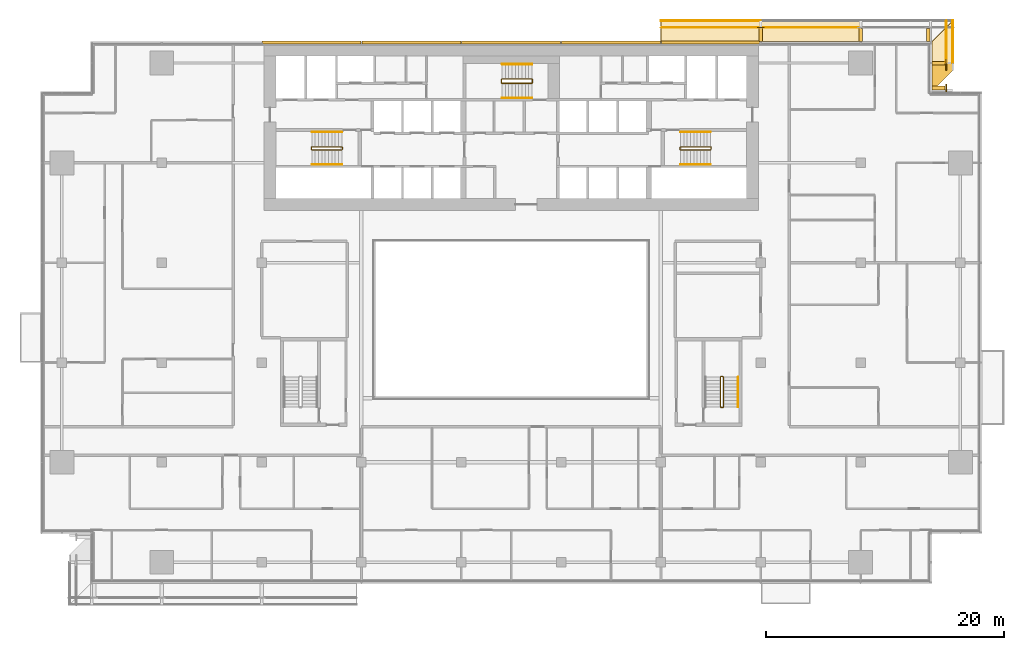
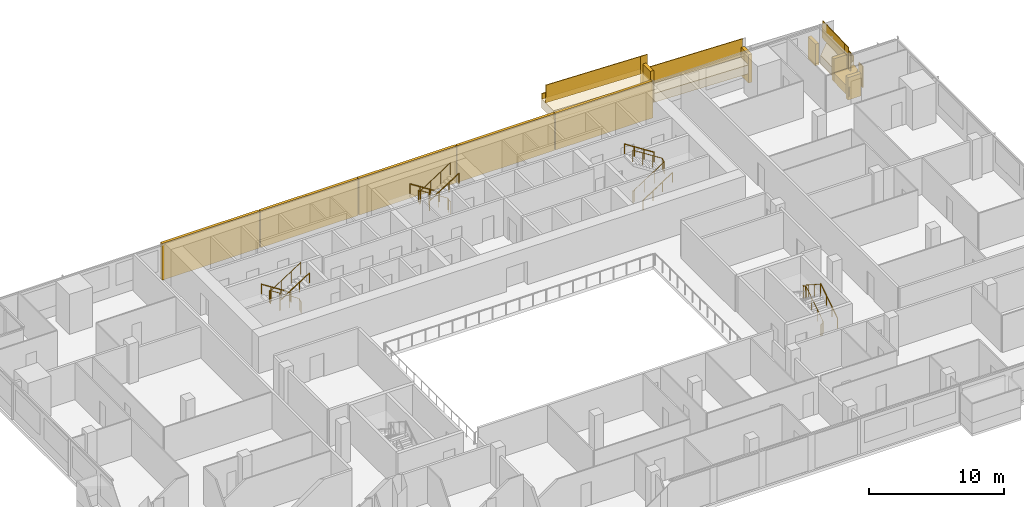
# One storey, part 26 of 29: 18 railings, 16 coverings.
"""IFC4 building model written with IfcOpenShell, lengths in metres."""

from ifc_helpers import new_model, si_unit, direction, frame, origin, origin_2d, place, context, subcontext, project, spatial, polyline, rectangle, circle, outline, extrude, material, layer, layer_set, type_object, element, save


model = new_model("IFC4")

# Units and contexts
model_context = context("Model", 3, precision=1e-05, world=origin(), true_north=direction((0.0, 1.0)))
body_context = subcontext(model_context, "Body", "Model", "MODEL_VIEW")
ifc_project = project(units=[si_unit("LENGTHUNIT", "METRE"), si_unit("AREAUNIT", "SQUARE_METRE"), si_unit("VOLUMEUNIT", "CUBIC_METRE"), si_unit("PLANEANGLEUNIT", "RADIAN"), si_unit("MASSUNIT", "GRAM", prefix="KILO")], contexts=[model_context])

# Site, building, storey
site_placement = place(None, origin())
site = spatial("IfcSite", under=ifc_project, at=site_placement, CompositionType="ELEMENT")
building_placement = place(site_placement, origin())
building = spatial("IfcBuilding", under=site, at=building_placement, Name="Saffron Gate Tower", CompositionType="ELEMENT")
storey_placement = place(building_placement, frame((0.0, 0.0, 116.85009765625)))
storey = spatial("IfcBuildingStorey", under=building, at=storey_placement, Name="L27", CompositionType="ELEMENT", Elevation=116.85009765625)

# Coverings
ifc_material_1 = material(Name="Ceramic-printed bronze insulated panel")
ifc_layer_1 = layer(ifc_material_1, 0.239990234375)
ifc_layer_set_1 = layer_set([ifc_layer_1], Name="CLD2 ceramic-printed cladding panel 240")
covering_type_1 = type_object("IfcCoveringType", Name="CLD2 ceramic-printed cladding panel 240", PredefinedType="CLADDING", material=ifc_layer_set_1)
covering_1_placement = place(storey_placement, origin())
element("IfcCovering", 1, at=covering_1_placement, inside=storey, type_object=covering_type_1, Name="CLADDING ceramic-printed panel", PredefinedType="CLADDING", context=body_context, shape_type="SweptSolid", body=[
    extrude(outline(polyline([(108.56494140625, 75.639892578125), (100.235107421875, 75.639892578125), (100.235107421875, 75.39990234375), (108.56494140625, 75.39990234375), (108.56494140625, 75.639892578125)])), origin(), (0.0, 0.0, 1.0), 3.31982421875),
])
covering_2_placement = place(storey_placement, origin())
element("IfcCovering", 2, at=covering_2_placement, inside=storey, type_object=covering_type_1, Name="CLADDING ceramic-printed panel", PredefinedType="CLADDING", context=body_context, shape_type="SweptSolid", body=[
    extrude(outline(polyline([(100.1650390625, 75.639892578125), (91.8349609375, 75.639892578125), (91.8349609375, 75.39990234375), (100.1650390625, 75.39990234375), (100.1650390625, 75.639892578125)])), origin(), (0.0, 0.0, 1.0), 3.31982421875),
])
covering_3_placement = place(storey_placement, origin())
element("IfcCovering", 3, at=covering_3_placement, inside=storey, type_object=covering_type_1, Name="CLADDING ceramic-printed panel", PredefinedType="CLADDING", context=body_context, shape_type="SweptSolid", body=[
    extrude(outline(polyline([(91.764892578125, 75.639892578125), (83.43505859375, 75.639892578125), (83.43505859375, 75.39990234375), (91.764892578125, 75.39990234375), (91.764892578125, 75.639892578125)])), origin(), (0.0, 0.0, 1.0), 3.31982421875),
])
covering_4_placement = place(storey_placement, origin())
element("IfcCovering", 4, at=covering_4_placement, inside=storey, type_object=covering_type_1, Name="CLADDING ceramic-printed panel", PredefinedType="CLADDING", context=body_context, shape_type="SweptSolid", body=[
    extrude(outline(polyline([(83.364990234375, 75.639892578125), (75.034912109375, 75.639892578125), (75.034912109375, 75.39990234375), (83.364990234375, 75.39990234375), (83.364990234375, 75.639892578125)])), origin(), (0.0, 0.0, 1.0), 3.31982421875),
])
covering_5_placement = place(storey_placement, origin())
element("IfcCovering", 5, at=covering_5_placement, inside=storey, type_object=covering_type_1, Name="CLADDING ceramic-printed panel", PredefinedType="CLADDING", context=body_context, shape_type="SweptSolid", body=[
    extrude(outline(polyline([(74.965087890625, 75.639892578125), (66.635009765625, 75.639892578125), (66.635009765625, 75.39990234375), (74.965087890625, 75.39990234375), (74.965087890625, 75.639892578125)])), origin(), (0.0, 0.0, 1.0), 3.31982421875),
])

# Railings
ifc_material_2 = material(Name="Stainless steel and laminated glass", Category="steel")
railing_type_1 = type_object("IfcRailingType", Name="CR1 Stair guard 1100", PredefinedType="GUARDRAIL", material=ifc_material_2)
railing_1_placement = place(storey_placement, frame((73.39990234375, 66.550048828125, 0.0)))
element("IfcRailing", 6, at=railing_1_placement, inside=storey, type_object=railing_type_1, Name="L27 ST-A stair guard 1", PredefinedType="GUARDRAIL", context=body_context, shape_type="SweptSolid", body=[
    extrude(circle(Radius=0.02392578125, at=origin_2d()), frame((0.0, 0.0, 1.076171875), z_axis=(0.0, 1.0, 0.0), x_axis=(-1.0, 0.0, 0.0)), (0.0, 0.0, 1.0), 0.14990234375),
    extrude(circle(Radius=0.02392578125, at=origin_2d()), frame((0.0, 0.14990234375, 1.076171875), z_axis=(-0.257669022063, 0.258932105505, 0.930892496375), x_axis=(-0.708833529934, -0.705375805398, 0.0)), (0.0, 0.0, 1.0), 0.193359375),
    extrude(circle(Radius=0.02392578125, at=origin_2d()), frame((-0.0498046875, 0.199951171875, 1.255859375), z_axis=(-0.841199657755, 0.0, 0.540724639528), x_axis=(0.0, -1.0, 0.0)), (0.0, 0.0, 1.0), 2.995849609375),
    extrude(circle(Radius=0.02392578125, at=origin_2d()), frame((-2.56982421875, 0.199951171875, 2.8759765625), z_axis=(-0.707106781187, -0.707106781187, 0.0), x_axis=(0.707106781187, -0.707106781187, 0.0)), (0.0, 0.0, 1.0), 0.07080078125),
    extrude(circle(Radius=0.02392578125, at=origin_2d()), frame((-2.619873046875, 0.14990234375, 2.8759765625), z_axis=(0.0, -1.0, 0.0), x_axis=(1.0, 0.0, 0.0)), (0.0, 0.0, 1.0), 0.14990234375),
    extrude(circle(Radius=0.02392578125, at=origin_2d()), frame((-2.619873046875, 0.0, 2.8759765625), z_axis=(0.258543844998, -0.258543844998, 0.930757841991), x_axis=(0.707106781187, 0.707106781187, 0.0)), (0.0, 0.0, 1.0), 0.193603515625),
    extrude(circle(Radius=0.02392578125, at=origin_2d()), frame((-2.56982421875, -0.050048828125, 3.05615234375), z_axis=(0.841199657755, 0.0, 0.540724639528), x_axis=(0.0, 1.0, 0.0)), (0.0, 0.0, 1.0), 2.995849609375),
    extrude(circle(Radius=0.02099609375, at=origin_2d()), origin(), (0.0, 0.0, 1.0), 1.052001953125),
    extrude(circle(Radius=0.02099609375, at=origin_2d()), frame((0.0, 0.14990234375, 0.0)), (0.0, 0.0, 1.0), 1.052001953125),
    extrude(circle(Radius=0.02099609375, at=origin_2d()), frame((-0.0498046875, 0.199951171875, 0.179931640625)), (0.0, 0.0, 1.0), 1.052001953125),
    extrude(circle(Radius=0.02099609375, at=origin_2d()), frame((-0.889892578125, 0.199951171875, 0.719970703125)), (0.0, 0.0, 1.0), 1.052001953125),
    extrude(circle(Radius=0.02099609375, at=origin_2d()), frame((-1.729736328125, 0.199951171875, 1.259765625)), (0.0, 0.0, 1.0), 1.052001953125),
    extrude(circle(Radius=0.02099609375, at=origin_2d()), frame((-2.56982421875, 0.199951171875, 1.7998046875)), (0.0, 0.0, 1.0), 1.052001953125),
    extrude(circle(Radius=0.02099609375, at=origin_2d()), frame((-2.619873046875, 0.14990234375, 1.7998046875)), (0.0, 0.0, 1.0), 1.052001953125),
    extrude(circle(Radius=0.02099609375, at=origin_2d()), frame((-2.619873046875, 0.0, 1.7998046875)), (0.0, 0.0, 1.0), 1.052001953125),
    extrude(circle(Radius=0.02099609375, at=origin_2d()), frame((-2.56982421875, -0.050048828125, 1.97998046875)), (0.0, 0.0, 1.0), 1.052001953125),
    extrude(circle(Radius=0.02099609375, at=origin_2d()), frame((-1.729736328125, -0.050048828125, 2.52001953125)), (0.0, 0.0, 1.0), 1.052001953125),
    extrude(circle(Radius=0.02099609375, at=origin_2d()), frame((-0.889892578125, -0.050048828125, 3.059814453125)), (0.0, 0.0, 1.0), 1.052001953125),
    extrude(circle(Radius=0.02099609375, at=origin_2d()), frame((-0.0498046875, -0.050048828125, 3.599853515625)), (0.0, 0.0, 1.0), 1.052001953125),
])
railing_2_placement = place(storey_placement, frame((101.800048828125, 66.699951171875, 0.0)))
element("IfcRailing", 7, at=railing_2_placement, inside=storey, type_object=railing_type_1, Name="L27 ST-B stair guard 1", PredefinedType="GUARDRAIL", context=body_context, shape_type="SweptSolid", body=[
    extrude(circle(Radius=0.02392578125, at=origin_2d()), frame((0.0, 0.0, 1.076171875), z_axis=(0.0, -1.0, 0.0), x_axis=(1.0, 0.0, 0.0)), (0.0, 0.0, 1.0), 0.14990234375),
    extrude(circle(Radius=0.02392578125, at=origin_2d()), frame((0.0, -0.14990234375, 1.076171875), z_axis=(0.258847668887, -0.258847668887, 0.930588936439), x_axis=(0.707106781187, 0.707106781187, 0.0)), (0.0, 0.0, 1.0), 0.193359375),
    extrude(circle(Radius=0.02392578125, at=origin_2d()), frame((0.050048828125, -0.199951171875, 1.255859375), z_axis=(0.841199657755, 0.0, 0.540724639528), x_axis=(0.0, 1.0, 0.0)), (0.0, 0.0, 1.0), 2.995849609375),
    extrude(circle(Radius=0.02392578125, at=origin_2d()), frame((2.570068359375, -0.199951171875, 2.8759765625), z_axis=(0.705375805398, 0.708833529934, 0.0), x_axis=(-0.708833529934, 0.705375805398, 0.0)), (0.0, 0.0, 1.0), 0.070556640625),
    extrude(circle(Radius=0.02392578125, at=origin_2d()), frame((2.619873046875, -0.14990234375, 2.8759765625), z_axis=(0.0, 1.0, 0.0), x_axis=(-1.0, 0.0, 0.0)), (0.0, 0.0, 1.0), 0.14990234375),
    extrude(circle(Radius=0.02392578125, at=origin_2d()), frame((2.619873046875, 0.0, 2.8759765625), z_axis=(-0.257366384619, 0.258627984543, 0.931060744355), x_axis=(-0.708833529934, -0.705375805398, 0.0)), (0.0, 0.0, 1.0), 0.193603515625),
    extrude(circle(Radius=0.02392578125, at=origin_2d()), frame((2.570068359375, 0.050048828125, 3.05615234375), z_axis=(-0.841199657755, 0.0, 0.540724639528), x_axis=(0.0, -1.0, 0.0)), (0.0, 0.0, 1.0), 2.995849609375),
    extrude(circle(Radius=0.02099609375, at=origin_2d()), origin(), (0.0, 0.0, 1.0), 1.052001953125),
    extrude(circle(Radius=0.02099609375, at=origin_2d()), frame((0.0, -0.14990234375, 0.0)), (0.0, 0.0, 1.0), 1.052001953125),
    extrude(circle(Radius=0.02099609375, at=origin_2d()), frame((0.050048828125, -0.199951171875, 0.179931640625)), (0.0, 0.0, 1.0), 1.052001953125),
    extrude(circle(Radius=0.02099609375, at=origin_2d()), frame((0.89013671875, -0.199951171875, 0.719970703125)), (0.0, 0.0, 1.0), 1.052001953125),
    extrude(circle(Radius=0.02099609375, at=origin_2d()), frame((1.72998046875, -0.199951171875, 1.259765625)), (0.0, 0.0, 1.0), 1.052001953125),
    extrude(circle(Radius=0.02099609375, at=origin_2d()), frame((2.570068359375, -0.199951171875, 1.7998046875)), (0.0, 0.0, 1.0), 1.052001953125),
    extrude(circle(Radius=0.02099609375, at=origin_2d()), frame((2.619873046875, -0.14990234375, 1.7998046875)), (0.0, 0.0, 1.0), 1.052001953125),
    extrude(circle(Radius=0.02099609375, at=origin_2d()), frame((2.619873046875, 0.0, 1.7998046875)), (0.0, 0.0, 1.0), 1.052001953125),
    extrude(circle(Radius=0.02099609375, at=origin_2d()), frame((2.570068359375, 0.050048828125, 1.97998046875)), (0.0, 0.0, 1.0), 1.052001953125),
    extrude(circle(Radius=0.02099609375, at=origin_2d()), frame((1.72998046875, 0.050048828125, 2.52001953125)), (0.0, 0.0, 1.0), 1.052001953125),
    extrude(circle(Radius=0.02099609375, at=origin_2d()), frame((0.89013671875, 0.050048828125, 3.059814453125)), (0.0, 0.0, 1.0), 1.052001953125),
    extrude(circle(Radius=0.02099609375, at=origin_2d()), frame((0.050048828125, 0.050048828125, 3.599853515625)), (0.0, 0.0, 1.0), 1.052001953125),
])
railing_3_placement = place(storey_placement, frame((89.39990234375, 72.14990234375, 0.0)))
element("IfcRailing", 8, at=railing_3_placement, inside=storey, type_object=railing_type_1, Name="L27 ST-C stair guard 1", PredefinedType="GUARDRAIL", context=body_context, shape_type="SweptSolid", body=[
    extrude(circle(Radius=0.02392578125, at=origin_2d()), frame((0.0, 0.0, 1.076171875), z_axis=(0.0, 1.0, 0.0), x_axis=(-1.0, 0.0, 0.0)), (0.0, 0.0, 1.0), 0.25),
    extrude(circle(Radius=0.02392578125, at=origin_2d()), frame((0.0, 0.25, 1.076171875), z_axis=(-0.257669022063, 0.258932105505, 0.930892496375), x_axis=(-0.708833529934, -0.705375805398, 0.0)), (0.0, 0.0, 1.0), 0.193359375),
    extrude(circle(Radius=0.02392578125, at=origin_2d()), frame((-0.0498046875, 0.300048828125, 1.255859375), z_axis=(-0.841199657755, 0.0, 0.540724639528), x_axis=(0.0, -1.0, 0.0)), (0.0, 0.0, 1.0), 2.995849609375),
    extrude(circle(Radius=0.02392578125, at=origin_2d()), frame((-2.56982421875, 0.300048828125, 2.8759765625), z_axis=(-0.707106781187, -0.707106781187, 0.0), x_axis=(0.707106781187, -0.707106781187, 0.0)), (0.0, 0.0, 1.0), 0.07080078125),
    extrude(circle(Radius=0.02392578125, at=origin_2d()), frame((-2.619873046875, 0.25, 2.8759765625), z_axis=(0.0, -1.0, 0.0), x_axis=(1.0, 0.0, 0.0)), (0.0, 0.0, 1.0), 0.25),
    extrude(circle(Radius=0.02392578125, at=origin_2d()), frame((-2.619873046875, 0.0, 2.8759765625), z_axis=(0.258627984543, -0.257366384619, 0.931060744355), x_axis=(0.705375805398, 0.708833529934, 0.0)), (0.0, 0.0, 1.0), 0.193603515625),
    extrude(circle(Radius=0.02392578125, at=origin_2d()), frame((-2.56982421875, -0.0498046875, 3.05615234375), z_axis=(0.841199657755, 0.0, 0.540724639528), x_axis=(0.0, 1.0, 0.0)), (0.0, 0.0, 1.0), 2.995849609375),
    extrude(circle(Radius=0.02099609375, at=origin_2d()), origin(), (0.0, 0.0, 1.0), 1.052001953125),
    extrude(circle(Radius=0.02099609375, at=origin_2d()), frame((0.0, 0.25, 0.0)), (0.0, 0.0, 1.0), 1.052001953125),
    extrude(circle(Radius=0.02099609375, at=origin_2d()), frame((-0.0498046875, 0.300048828125, 0.179931640625)), (0.0, 0.0, 1.0), 1.052001953125),
    extrude(circle(Radius=0.02099609375, at=origin_2d()), frame((-0.889892578125, 0.300048828125, 0.719970703125)), (0.0, 0.0, 1.0), 1.052001953125),
    extrude(circle(Radius=0.02099609375, at=origin_2d()), frame((-1.729736328125, 0.300048828125, 1.259765625)), (0.0, 0.0, 1.0), 1.052001953125),
    extrude(circle(Radius=0.02099609375, at=origin_2d()), frame((-2.56982421875, 0.300048828125, 1.7998046875)), (0.0, 0.0, 1.0), 1.052001953125),
    extrude(circle(Radius=0.02099609375, at=origin_2d()), frame((-2.619873046875, 0.25, 1.7998046875)), (0.0, 0.0, 1.0), 1.052001953125),
    extrude(circle(Radius=0.02099609375, at=origin_2d()), frame((-2.619873046875, 0.0, 1.7998046875)), (0.0, 0.0, 1.0), 1.052001953125),
    extrude(circle(Radius=0.02099609375, at=origin_2d()), frame((-2.56982421875, -0.0498046875, 1.97998046875)), (0.0, 0.0, 1.0), 1.052001953125),
    extrude(circle(Radius=0.02099609375, at=origin_2d()), frame((-1.729736328125, -0.0498046875, 2.52001953125)), (0.0, 0.0, 1.0), 1.052001953125),
    extrude(circle(Radius=0.02099609375, at=origin_2d()), frame((-0.889892578125, -0.0498046875, 3.059814453125)), (0.0, 0.0, 1.0), 1.052001953125),
    extrude(circle(Radius=0.02099609375, at=origin_2d()), frame((-0.0498046875, -0.0498046875, 3.599853515625)), (0.0, 0.0, 1.0), 1.052001953125),
])
railing_4_placement = place(storey_placement, frame((105.25, 44.800048828125, 0.0)))
element("IfcRailing", 9, at=railing_4_placement, inside=storey, type_object=railing_type_1, Name="L27 ST-E stair guard 1", PredefinedType="GUARDRAIL", context=body_context, shape_type="SweptSolid", body=[
    extrude(circle(Radius=0.02392578125, at=origin_2d()), frame((0.0, 0.0, 1.076171875), z_axis=(1.0, 0.0, 0.0), x_axis=(0.0, 1.0, 0.0)), (0.0, 0.0, 1.0), 0.14990234375),
    extrude(circle(Radius=0.02392578125, at=origin_2d()), frame((0.14990234375, 0.0, 1.076171875), z_axis=(0.258847668887, 0.258847668887, 0.930588936439), x_axis=(-0.707106781187, 0.707106781187, 0.0)), (0.0, 0.0, 1.0), 0.193359375),
    extrude(circle(Radius=0.02392578125, at=origin_2d()), frame((0.199951171875, 0.050048828125, 1.255859375), z_axis=(0.0, 0.841199657755, 0.540724639528), x_axis=(-1.0, 0.0, 0.0)), (0.0, 0.0, 1.0), 2.995849609375),
    extrude(circle(Radius=0.02392578125, at=origin_2d()), frame((0.199951171875, 2.570068359375, 2.8759765625), z_axis=(-0.708833529934, 0.705375805398, 0.0), x_axis=(-0.705375805398, -0.708833529934, 0.0)), (0.0, 0.0, 1.0), 0.070556640625),
    extrude(circle(Radius=0.02392578125, at=origin_2d()), frame((0.14990234375, 2.619873046875, 2.8759765625), z_axis=(-1.0, 0.0, 0.0), x_axis=(0.0, -1.0, 0.0)), (0.0, 0.0, 1.0), 0.14990234375),
    extrude(circle(Radius=0.02392578125, at=origin_2d()), frame((0.0, 2.619873046875, 2.8759765625), z_axis=(-0.258627984543, -0.257366384619, 0.931060744355), x_axis=(0.705375805398, -0.708833529934, 0.0)), (0.0, 0.0, 1.0), 0.193603515625),
    extrude(circle(Radius=0.02392578125, at=origin_2d()), frame((-0.050048828125, 2.570068359375, 3.05615234375), z_axis=(0.0, -0.841199657755, 0.540724639528), x_axis=(1.0, 0.0, 0.0)), (0.0, 0.0, 1.0), 2.995849609375),
    extrude(circle(Radius=0.02099609375, at=origin_2d()), origin(), (0.0, 0.0, 1.0), 1.052001953125),
    extrude(circle(Radius=0.02099609375, at=origin_2d()), frame((0.14990234375, 0.0, 0.0)), (0.0, 0.0, 1.0), 1.052001953125),
    extrude(circle(Radius=0.02099609375, at=origin_2d()), frame((0.199951171875, 0.050048828125, 0.179931640625)), (0.0, 0.0, 1.0), 1.052001953125),
    extrude(circle(Radius=0.02099609375, at=origin_2d()), frame((0.199951171875, 0.89013671875, 0.719970703125)), (0.0, 0.0, 1.0), 1.052001953125),
    extrude(circle(Radius=0.02099609375, at=origin_2d()), frame((0.199951171875, 1.72998046875, 1.259765625)), (0.0, 0.0, 1.0), 1.052001953125),
    extrude(circle(Radius=0.02099609375, at=origin_2d()), frame((0.199951171875, 2.570068359375, 1.7998046875)), (0.0, 0.0, 1.0), 1.052001953125),
    extrude(circle(Radius=0.02099609375, at=origin_2d()), frame((0.14990234375, 2.619873046875, 1.7998046875)), (0.0, 0.0, 1.0), 1.052001953125),
    extrude(circle(Radius=0.02099609375, at=origin_2d()), frame((0.0, 2.619873046875, 1.7998046875)), (0.0, 0.0, 1.0), 1.052001953125),
    extrude(circle(Radius=0.02099609375, at=origin_2d()), frame((-0.050048828125, 2.570068359375, 1.97998046875)), (0.0, 0.0, 1.0), 1.052001953125),
    extrude(circle(Radius=0.02099609375, at=origin_2d()), frame((-0.050048828125, 1.72998046875, 2.52001953125)), (0.0, 0.0, 1.0), 1.052001953125),
    extrude(circle(Radius=0.02099609375, at=origin_2d()), frame((-0.050048828125, 0.89013671875, 3.059814453125)), (0.0, 0.0, 1.0), 1.052001953125),
    extrude(circle(Radius=0.02099609375, at=origin_2d()), frame((-0.050048828125, 0.050048828125, 3.599853515625)), (0.0, 0.0, 1.0), 1.052001953125),
])
ifc_material_3 = material(Name="Stainless steel", Category="steel")
railing_type_2 = type_object("IfcRailingType", Name="CR2 Stair handrail 900", PredefinedType="HANDRAIL", material=ifc_material_3)
railing_5_placement = place(storey_placement, frame((73.35009765625, 68.0, 0.179931640625)))
element("IfcRailing", 10, at=railing_5_placement, inside=storey, type_object=railing_type_2, Name="L27 ST-A stair handrail 1", PredefinedType="HANDRAIL", context=body_context, shape_type="SweptSolid", body=[
    extrude(circle(Radius=0.02392578125, at=origin_2d()), frame((0.0, 0.0, 0.8759765625), z_axis=(-0.841199657755, 0.0, 0.540724639528), x_axis=(0.0, -1.0, 0.0)), (0.0, 0.0, 1.0), 2.995849609375),
    extrude(circle(Radius=0.02099609375, at=origin_2d()), origin(), (0.0, 0.0, 1.0), 0.851806640625),
    extrude(circle(Radius=0.02099609375, at=origin_2d()), frame((-0.840087890625, 0.0, 0.5400390625)), (0.0, 0.0, 1.0), 0.851806640625),
    extrude(circle(Radius=0.02099609375, at=origin_2d()), frame((-1.679931640625, 0.0, 1.079833984375)), (0.0, 0.0, 1.0), 0.851806640625),
    extrude(circle(Radius=0.02099609375, at=origin_2d()), frame((-2.52001953125, 0.0, 1.619873046875)), (0.0, 0.0, 1.0), 0.851806640625),
])
for number, where, name in (
    (11, (70.830078125, 65.25, 1.97998046875), "L27 ST-A stair handrail 2"),
    (12, (101.85009765625, 65.25, 0.179931640625), "L27 ST-B stair handrail 1"),
):
    element("IfcRailing", number, at=place(storey_placement, frame(where)), inside=storey, type_object=railing_type_2, Name=name, PredefinedType="HANDRAIL", context=body_context, shape_type="SweptSolid", body=[
        extrude(circle(Radius=0.02392578125, at=origin_2d()), frame((0.0, 0.0, 0.8759765625), z_axis=(0.841199657755, 0.0, 0.540724639528), x_axis=(0.0, 1.0, 0.0)), (0.0, 0.0, 1.0), 2.995849609375),
        extrude(circle(Radius=0.02099609375, at=origin_2d()), origin(), (0.0, 0.0, 1.0), 0.851806640625),
        extrude(circle(Radius=0.02099609375, at=origin_2d()), frame((0.840087890625, 0.0, 0.5400390625)), (0.0, 0.0, 1.0), 0.851806640625),
        extrude(circle(Radius=0.02099609375, at=origin_2d()), frame((1.679931640625, 0.0, 1.079833984375)), (0.0, 0.0, 1.0), 0.851806640625),
        extrude(circle(Radius=0.02099609375, at=origin_2d()), frame((2.52001953125, 0.0, 1.619873046875)), (0.0, 0.0, 1.0), 0.851806640625),
    ])
for number, where, name in (
    (13, (104.3701171875, 68.0, 1.97998046875), "L27 ST-B stair handrail 2"),
    (14, (89.35009765625, 73.699951171875, 0.179931640625), "L27 ST-C stair handrail 1"),
):
    element("IfcRailing", number, at=place(storey_placement, frame(where)), inside=storey, type_object=railing_type_2, Name=name, PredefinedType="HANDRAIL", context=body_context, shape_type="SweptSolid", body=[
        extrude(circle(Radius=0.02392578125, at=origin_2d()), frame((0.0, 0.0, 0.8759765625), z_axis=(-0.841199657755, 0.0, 0.540724639528), x_axis=(0.0, -1.0, 0.0)), (0.0, 0.0, 1.0), 2.995849609375),
        extrude(circle(Radius=0.02099609375, at=origin_2d()), origin(), (0.0, 0.0, 1.0), 0.851806640625),
        extrude(circle(Radius=0.02099609375, at=origin_2d()), frame((-0.840087890625, 0.0, 0.5400390625)), (0.0, 0.0, 1.0), 0.851806640625),
        extrude(circle(Radius=0.02099609375, at=origin_2d()), frame((-1.679931640625, 0.0, 1.079833984375)), (0.0, 0.0, 1.0), 0.851806640625),
        extrude(circle(Radius=0.02099609375, at=origin_2d()), frame((-2.52001953125, 0.0, 1.619873046875)), (0.0, 0.0, 1.0), 0.851806640625),
    ])
railing_6_placement = place(storey_placement, frame((86.830078125, 70.85009765625, 1.97998046875)))
element("IfcRailing", 15, at=railing_6_placement, inside=storey, type_object=railing_type_2, Name="L27 ST-C stair handrail 2", PredefinedType="HANDRAIL", context=body_context, shape_type="SweptSolid", body=[
    extrude(circle(Radius=0.02392578125, at=origin_2d()), frame((0.0, 0.0, 0.8759765625), z_axis=(0.841199657755, 0.0, 0.540724639528), x_axis=(0.0, 1.0, 0.0)), (0.0, 0.0, 1.0), 2.995849609375),
    extrude(circle(Radius=0.02099609375, at=origin_2d()), origin(), (0.0, 0.0, 1.0), 0.851806640625),
    extrude(circle(Radius=0.02099609375, at=origin_2d()), frame((0.840087890625, 0.0, 0.5400390625)), (0.0, 0.0, 1.0), 0.851806640625),
    extrude(circle(Radius=0.02099609375, at=origin_2d()), frame((1.679931640625, 0.0, 1.079833984375)), (0.0, 0.0, 1.0), 0.851806640625),
    extrude(circle(Radius=0.02099609375, at=origin_2d()), frame((2.52001953125, 0.0, 1.619873046875)), (0.0, 0.0, 1.0), 0.851806640625),
])
railing_7_placement = place(storey_placement, frame((106.699951171875, 44.85009765625, 0.179931640625)))
element("IfcRailing", 16, at=railing_7_placement, inside=storey, type_object=railing_type_2, Name="L27 ST-E stair handrail 1", PredefinedType="HANDRAIL", context=body_context, shape_type="SweptSolid", body=[
    extrude(circle(Radius=0.02392578125, at=origin_2d()), frame((0.0, 0.0, 0.8759765625), z_axis=(0.0, 0.841199657755, 0.540724639528), x_axis=(-1.0, 0.0, 0.0)), (0.0, 0.0, 1.0), 2.995849609375),
    extrude(circle(Radius=0.02099609375, at=origin_2d()), origin(), (0.0, 0.0, 1.0), 0.851806640625),
    extrude(circle(Radius=0.02099609375, at=origin_2d()), frame((0.0, 0.840087890625, 0.5400390625)), (0.0, 0.0, 1.0), 0.851806640625),
    extrude(circle(Radius=0.02099609375, at=origin_2d()), frame((0.0, 1.679931640625, 1.079833984375)), (0.0, 0.0, 1.0), 0.851806640625),
    extrude(circle(Radius=0.02099609375, at=origin_2d()), frame((0.0, 2.52001953125, 1.619873046875)), (0.0, 0.0, 1.0), 0.851806640625),
])

# Coverings
ifc_material_4 = material(Name="Timber, thermally modified ash", Category="wood")
ifc_layer_2 = layer(ifc_material_4, 0.800048828125)
ifc_layer_set_2 = layer_set([ifc_layer_2], Name="LD1 ledge timber")
covering_type_2 = type_object("IfcCoveringType", Name="LD1 ledge timber", PredefinedType="CLADDING", material=ifc_layer_set_2)
covering_6_placement = place(storey_placement, frame((123.0, 71.39990234375, 0.0078125), z_axis=(2.6333678e-05, -0.028794305201, 0.999585357683), x_axis=(5.2e-10, 0.99958535803, 0.028794305211)))
element("IfcCovering", 17, at=covering_6_placement, inside=storey, type_object=covering_type_2, Name="LEDGE", PredefinedType="CLADDING", context=body_context, shape_type="SweptSolid", body=[
    extrude(outline(polyline([(0.0, 0.0), (2.401140733194568, 0.0), (2.4011407341303483, -1.8000488275008664), (1.8007927835182762, -1.8000488290612322), (0.0, 0.0)])), origin(), (0.0, 0.0, -1.0), 0.800048828125),
])
covering_7_placement = place(storey_placement, frame((123.0, 73.800048828125, 0.419921875), z_axis=(-1.29947e-06, -0.028742979799, 0.999586835203), x_axis=(-2e-12, 0.999586835204, 0.028742979799)))
element("IfcCovering", 18, at=covering_7_placement, inside=storey, type_object=covering_type_2, Name="LEDGE", PredefinedType="CLADDING", context=body_context, shape_type="SweptSolid", body=[
    extrude(outline(polyline([(0.0, 0.0), (1.8007927850764784, 0.0), (3.60134153039523, -1.8000488281325986), (-3.03834742109669e-12, -1.8000488281234803), (0.0, 0.0)])), origin(), (0.0, 0.0, -1.0), 0.800048828125),
])
covering_8_placement = place(storey_placement, frame((117.0, 75.60009765625, 1.75927734375), z_axis=(0.028791175352, 0.0, 0.999585448184), x_axis=(-0.999585448184, 0.0, 0.028791175352)))
element("IfcCovering", 19, at=covering_8_placement, inside=storey, type_object=covering_type_2, Name="LEDGE", PredefinedType="CLADDING", context=body_context, shape_type="SweptSolid", body=[
    extrude(outline(polyline([(0.0, 0.0), (8.403385982666892, 0.0), (8.403385982666892, -1.7998046875), (0.0, -1.7998046875), (0.0, 0.0)])), origin(), (0.0, 0.0, -1.0), 0.800048828125),
])
covering_9_placement = place(storey_placement, frame((108.60009765625, 75.60009765625, 3.201416015625), z_axis=(0.028790339263, 0.0, 0.999585472266), x_axis=(-0.999585472266, 0.0, 0.028790339263)))
element("IfcCovering", 20, at=covering_9_placement, inside=storey, type_object=covering_type_2, Name="LEDGE", PredefinedType="CLADDING", context=body_context, shape_type="SweptSolid", body=[
    extrude(outline(polyline([(0.0, 0.0), (8.403630022085892, 0.0), (8.403630022085892, -1.7998046875), (0.0, -1.7998046875), (0.0, 0.0)])), origin(), (0.0, 0.0, -1.0), 0.800048828125),
])
ifc_layer_3 = layer(ifc_material_4, 0.080078125)
ifc_layer_set_3 = layer_set([ifc_layer_3], Name="LD2 ledge planter trough")
covering_type_3 = type_object("IfcCoveringType", Name="LD2 ledge planter trough", PredefinedType="CLADDING", material=ifc_layer_set_3)
covering_10_placement = place(storey_placement, frame((124.800048828125, 73.800048828125, 0.419921875), z_axis=(1.0, 0.0, 0.0), x_axis=(0.0, 0.999586816534, 0.028743629041)))
element("IfcCovering", 21, at=covering_10_placement, inside=storey, type_object=covering_type_3, Name="LEDGE planter trough", PredefinedType="CLADDING", context=body_context, shape_type="SweptSolid", body=[
    extrude(outline(polyline([(0.0, 0.0), (3.6013415303990284, 0.0), (3.615713344919565, 0.4997934082672433), (0.01437181452053653, 0.4997934082672433), (0.0, 0.0)])), origin(), (0.0, 0.0, -1.0), 0.080078125),
])
covering_11_placement = place(storey_placement, frame((108.60009765625, 77.39990234375, 3.201416015625), z_axis=(0.0, 1.0, 0.0), x_axis=(-0.999585472266, 0.0, 0.028790339263)))
element("IfcCovering", 22, at=covering_11_placement, inside=storey, type_object=covering_type_3, Name="LEDGE planter trough", PredefinedType="CLADDING", context=body_context, shape_type="SweptSolid", body=[
    extrude(outline(polyline([(0.0, 0.0), (8.403630022085892, 0.0), (8.418025191717298, 0.4997927361329725), (0.014395169631405694, 0.4997927361329725), (0.0, 0.0)])), origin(), (0.0, 0.0, -1.0), 0.080078125),
])
ifc_layer_4 = layer(ifc_material_4, 0.300048828125)
ifc_layer_set_4 = layer_set([ifc_layer_4], Name="LD3 ledge riser fin")
covering_type_4 = type_object("IfcCoveringType", Name="LD3 ledge riser fin", PredefinedType="CLADDING", material=ifc_layer_set_4)
for number, where, z_axis, x_axis, name in (
    (23, (123.56005859375, 71.699951171875, -1.13525390625), (0.0, 0.0, 1.0), (0.0, 1.0, 0.0), "LEDGE riser fin"),
    (24, (123.56005859375, 73.800048828125, -0.72314453125), (0.0, 0.0, 1.0), (0.0, 1.0, 0.0), "LEDGE riser fin"),
):
    element("IfcCovering", number, at=place(storey_placement, frame(where, z_axis=z_axis, x_axis=x_axis)), inside=storey, type_object=covering_type_4, Name=name, PredefinedType="CLADDING", context=body_context, shape_type="SweptSolid", body=[
        extrude(rectangle(XDim=0.300048828125, YDim=1.1201171875, at=origin_2d()), origin(), (0.0, 0.0, 1.0), 2.04296875),
    ])
covering_12_placement = place(storey_placement, frame((122.699951171875, 76.159912109375, -0.328125), z_axis=(0.0, 0.0, 1.0), x_axis=(-1.0, 0.0, 0.0)))
element("IfcCovering", 25, at=covering_12_placement, inside=storey, type_object=covering_type_4, Name="LEDGE riser fin", PredefinedType="CLADDING", context=body_context, shape_type="SweptSolid", body=[
    extrude(rectangle(XDim=0.300048828125, YDim=1.1201171875, at=origin_2d()), origin(), (0.0, 0.0, 1.0), 1.957275390625),
])
covering_13_placement = place(storey_placement, frame((117.0, 76.159912109375, 0.1015625), z_axis=(0.0, 0.0, 1.0), x_axis=(-1.0, 0.0, 0.0)))
element("IfcCovering", 26, at=covering_13_placement, inside=storey, type_object=covering_type_4, Name="LEDGE riser fin", PredefinedType="CLADDING", context=body_context, shape_type="SweptSolid", body=[
    extrude(rectangle(XDim=0.300048828125, YDim=1.1201171875, at=origin_2d()), origin(), (0.0, 0.0, 1.0), 2.557373046875),
])
covering_14_placement = place(storey_placement, frame((108.60009765625, 76.159912109375, 1.201171875), z_axis=(0.0, 0.0, 1.0), x_axis=(-1.0, 0.0, 0.0)))
element("IfcCovering", 27, at=covering_14_placement, inside=storey, type_object=covering_type_4, Name="LEDGE riser fin", PredefinedType="CLADDING", context=body_context, shape_type="SweptSolid", body=[
    extrude(rectangle(XDim=0.300048828125, YDim=1.1201171875, at=origin_2d()), origin(), (0.0, 0.0, 1.0), 2.900390625),
])

# Railings
railing_type_3 = type_object("IfcRailingType", Name="LG1 ledge balustrade", PredefinedType="BALUSTRADE", material=ifc_material_4)
railing_8_placement = place(storey_placement, frame((124.199951171875, 73.199951171875, 0.0595703125)))
element("IfcRailing", 28, at=railing_8_placement, inside=storey, type_object=railing_type_3, Name="LEDGE BALUSTRADE", PredefinedType="BALUSTRADE", context=body_context, shape_type="SweptSolid", body=[
    extrude(rectangle(XDim=0.06005859375, YDim=1.60009765625, at=origin_2d()), frame((0.0, 0.0, 0.800048828125), z_axis=(0.0, 0.999583081391, 0.028873229772), x_axis=(-1.0, 0.0, 0.0)), (0.0, 0.0, 1.0), 0.600341796875),
])
railing_9_placement = place(storey_placement, frame((124.199951171875, 71.39990234375, -0.335205078125)))
element("IfcRailing", 29, at=railing_9_placement, inside=storey, type_object=railing_type_3, Name="LEDGE BALUSTRADE", PredefinedType="BALUSTRADE", context=body_context, shape_type="SweptSolid", body=[
    extrude(rectangle(XDim=0.06005859375, YDim=1.943115234375, at=origin_2d()), frame((0.0, 0.0, 0.9716796875), z_axis=(0.0, 1.0, 0.0), x_axis=(-1.0, 0.0, 0.0)), (0.0, 0.0, 1.0), 0.60009765625),
])
railing_10_placement = place(storey_placement, frame((124.199951171875, 73.800048828125, 0.419921875)))
element("IfcRailing", 30, at=railing_10_placement, inside=storey, type_object=railing_type_3, Name="LEDGE BALUSTRADE", PredefinedType="BALUSTRADE", context=body_context, shape_type="SweptSolid", body=[
    extrude(rectangle(XDim=0.06005859375, YDim=1.60009765625, at=origin_2d()), frame((0.0, 0.0, 0.800048828125), z_axis=(0.0, 0.999586816534, 0.028743629041), x_axis=(-1.0, 0.0, 0.0)), (0.0, 0.0, 1.0), 3.601318359375),
])
railing_11_placement = place(storey_placement, frame((124.199951171875, 73.5, 0.076904296875)))
element("IfcRailing", 31, at=railing_11_placement, inside=storey, type_object=railing_type_3, Name="LEDGE BALUSTRADE", PredefinedType="BALUSTRADE", context=body_context, shape_type="SweptSolid", body=[
    extrude(rectangle(XDim=0.06005859375, YDim=1.943115234375, at=origin_2d()), frame((0.0, 0.0, 0.9716796875), z_axis=(0.0, 1.0, 0.0), x_axis=(-1.0, 0.0, 0.0)), (0.0, 0.0, 1.0), 0.60009765625),
])
railing_12_placement = place(storey_placement, frame((117.0, 76.800048828125, 1.75927734375)))
element("IfcRailing", 32, at=railing_12_placement, inside=storey, type_object=railing_type_3, Name="LEDGE BALUSTRADE", PredefinedType="BALUSTRADE", context=body_context, shape_type="SweptSolid", body=[
    extrude(rectangle(XDim=0.06005859375, YDim=1.60009765625, at=origin_2d()), frame((0.0, 0.0, 0.800048828125), z_axis=(-0.999585448184, 0.0, 0.028791175352), x_axis=(0.0, -1.0, 0.0)), (0.0, 0.0, 1.0), 8.4033203125),
])
railing_13_placement = place(storey_placement, frame((108.60009765625, 76.800048828125, 3.201416015625)))
element("IfcRailing", 33, at=railing_13_placement, inside=storey, type_object=railing_type_3, Name="LEDGE BALUSTRADE", PredefinedType="BALUSTRADE", context=body_context, shape_type="SweptSolid", body=[
    extrude(rectangle(XDim=0.06005859375, YDim=1.60009765625, at=origin_2d()), frame((0.0, 0.0, 0.800048828125), z_axis=(-0.999585472266, 0.0, 0.028790339263), x_axis=(0.0, -1.0, 0.0)), (0.0, 0.0, 1.0), 8.403564453125),
])
railing_14_placement = place(storey_placement, frame((108.89990234375, 76.800048828125, 2.001220703125)))
element("IfcRailing", 34, at=railing_14_placement, inside=storey, type_object=railing_type_3, Name="LEDGE BALUSTRADE", PredefinedType="BALUSTRADE", context=body_context, shape_type="SweptSolid", body=[
    extrude(rectangle(XDim=0.06005859375, YDim=2.80029296875, at=origin_2d()), frame((0.0, 0.0, 1.400146484375), z_axis=(-1.0, 0.0, 0.0), x_axis=(0.0, -1.0, 0.0)), (0.0, 0.0, 1.0), 0.599853515625),
])

save(model, "model.ifc")
